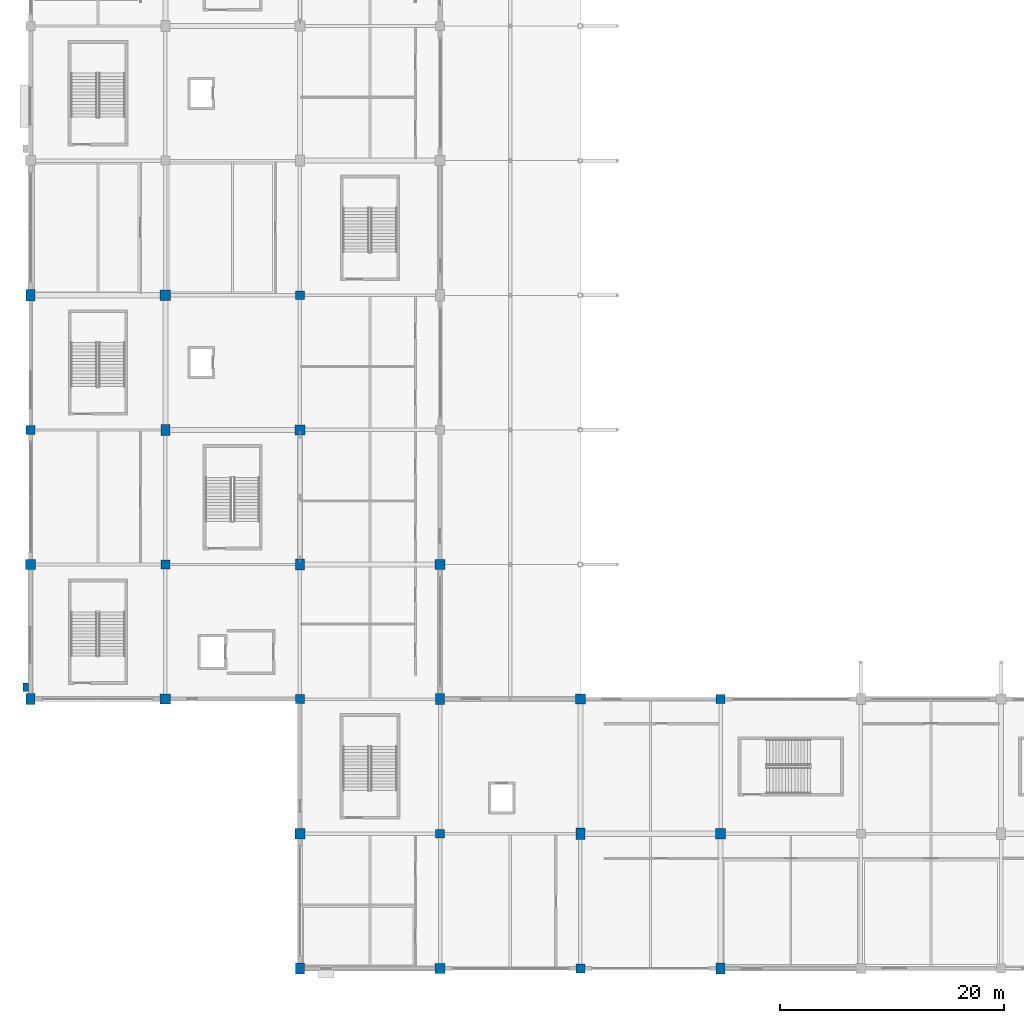
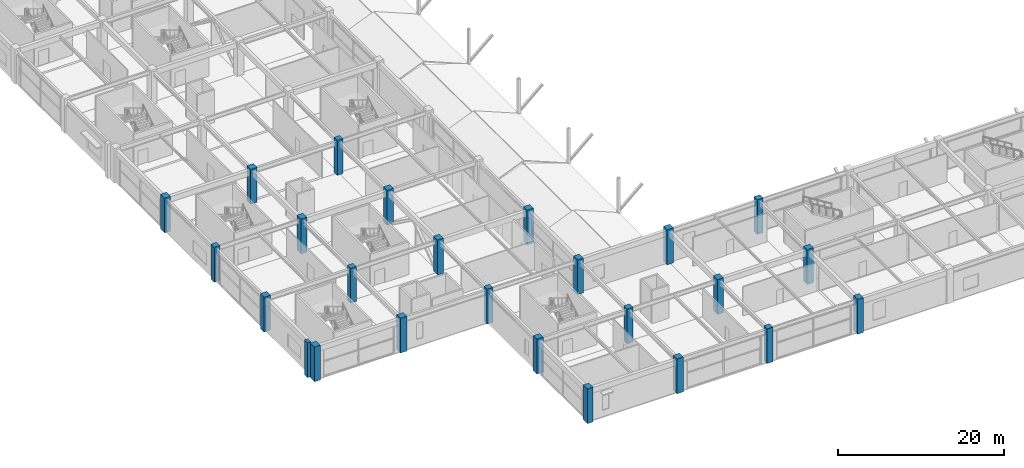
# One storey, part 1 of 116: 25 columns.
"""IFC4 building model written with IfcOpenShell, lengths in metres."""

from ifc_helpers import new_model, si_unit, direction, frame, origin, origin_2d, place, context, subcontext, project, spatial, rectangle, extrude, material, material_profile, profile_set, type_object, element, save


model = new_model("IFC4")

# Units and contexts
model_context = context("Model", 3, precision=1e-05, world=origin(), true_north=direction((0.0, 1.0)))
body_context = subcontext(model_context, "Body", "Model", "MODEL_VIEW")
ifc_project = project(units=[si_unit("LENGTHUNIT", "METRE"), si_unit("AREAUNIT", "SQUARE_METRE"), si_unit("VOLUMEUNIT", "CUBIC_METRE"), si_unit("PLANEANGLEUNIT", "RADIAN"), si_unit("MASSUNIT", "GRAM", prefix="KILO")], contexts=[model_context])

# Site, building, storey
site_placement = place(None, origin())
site = spatial("IfcSite", under=ifc_project, at=site_placement, CompositionType="ELEMENT")
building_placement = place(site_placement, origin())
building = spatial("IfcBuilding", under=site, at=building_placement, Name="Kazenohara Klinker Stadium", CompositionType="ELEMENT")
storey_placement = place(building_placement, frame((0.0, 0.0, 10.199951171875)))
storey = spatial("IfcBuildingStorey", under=building, at=storey_placement, Name="L02", CompositionType="ELEMENT", Elevation=10.199951171875)

# Columns
ifc_material = material(Name="Concrete C40/50", Category="concrete")
ifc_material_profile_1 = material_profile(ifc_material, rectangle(XDim=0.800048828125, YDim=1.0, at=origin_2d()), Name="RC-COL-1000x800")
ifc_profile_set_1 = profile_set([ifc_material_profile_1], Name="Concrete C40/50")
column_type_1 = type_object("IfcColumnType", Name="COL-RC03", PredefinedType="COLUMN", material=ifc_profile_set_1)
for number, where, z_axis, x_axis, name in (
    (1, (0.0, 36.0, 0.0), (0.0, 0.0, 1.0), (1.0, 0.0, 0.0), "Column C03 L02 1/D"),
    (2, (0.0, 72.0, 0.0), (0.0, 0.0, 1.0), (1.0, 0.0, 0.0), "Column C03 L02 1/G"),
    (3, (12.0, 60.0, 0.0), (0.0, 0.0, 1.0), (1.0, 0.0, 0.0), "Column C03 L02 2/F"),
    (4, (24.0, 12.0, 0.0), (0.0, 0.0, 1.0), (1.0, 0.0, 0.0), "Column C03 L02 3/B"),
    (5, (24.0, 48.0, 0.0), (0.0, 0.0, 1.0), (1.0, 0.0, 0.0), "Column C03 L02 3/E"),
    (6, (36.5, 36.0, 0.0), (0.0, 0.0, 1.0), (1.0, 0.0, 0.0), "Column C03 L02 4/D"),
    (7, (49.0, 24.0, 0.0), (0.0, 0.0, 1.0), (1.0, 0.0, 0.0), "Column C03 L02 5/C"),
    (8, (61.5, 12.0, 0.0), (0.0, 0.0, 1.0), (1.0, 0.0, 0.0), "Column C03 L02 6/B"),
):
    element("IfcColumn", number, at=place(storey_placement, frame(where, z_axis=z_axis, x_axis=x_axis)), inside=storey, type_object=column_type_1, Name=name, PredefinedType="COLUMN", context=body_context, shape_type="SweptSolid", body=[
        extrude(rectangle(XDim=0.800048828125, YDim=1.0, at=origin_2d()), origin(), (0.0, 0.0, 1.0), 5.10009765625),
    ])
ifc_material_profile_2 = material_profile(ifc_material, rectangle(XDim=0.89990234375, YDim=0.89990234375, at=origin_2d()), Name="RC-COL-900x900")
ifc_profile_set_2 = profile_set([ifc_material_profile_2], Name="Concrete C40/50")
column_type_2 = type_object("IfcColumnType", Name="COL-RC04", PredefinedType="COLUMN", material=ifc_profile_set_2)
for number, where, z_axis, x_axis, name in (
    (9, (0.0, 48.0, 0.0), (0.0, 0.0, 1.0), (1.0, 0.0, 0.0), "Column C04 L02 1/E"),
    (10, (12.0, 36.0, 0.0), (0.0, 0.0, 1.0), (1.0, 0.0, 0.0), "Column C04 L02 2/D"),
    (11, (12.0, 72.0, 0.0), (0.0, 0.0, 1.0), (1.0, 0.0, 0.0), "Column C04 L02 2/G"),
    (12, (24.0, 24.0, 0.0), (0.0, 0.0, 1.0), (1.0, 0.0, 0.0), "Column C04 L02 3/C"),
    (13, (24.0, 60.0, 0.0), (0.0, 0.0, 1.0), (1.0, 0.0, 0.0), "Column C04 L02 3/F"),
    (14, (36.5, 12.0, 0.0), (0.0, 0.0, 1.0), (1.0, 0.0, 0.0), "Column C04 L02 4/B"),
    (15, (36.5, 48.0, 0.0), (0.0, 0.0, 1.0), (1.0, 0.0, 0.0), "Column C04 L02 4/E"),
    (16, (49.0, 36.0, 0.0), (0.0, 0.0, 1.0), (1.0, 0.0, 0.0), "Column C04 L02 5/D"),
    (17, (61.5, 24.0, 0.0), (0.0, 0.0, 1.0), (1.0, 0.0, 0.0), "Column C04 L02 6/C"),
):
    element("IfcColumn", number, at=place(storey_placement, frame(where, z_axis=z_axis, x_axis=x_axis)), inside=storey, type_object=column_type_2, Name=name, PredefinedType="COLUMN", context=body_context, shape_type="SweptSolid", body=[
        extrude(rectangle(XDim=0.89990234375, YDim=0.89990234375, at=origin_2d()), origin(), (0.0, 0.0, 1.0), 5.10009765625),
    ])
ifc_material_profile_3 = material_profile(ifc_material, rectangle(XDim=0.800048828125, YDim=0.800048828125, at=origin_2d()), Name="RC-COL-800x800")
ifc_profile_set_3 = profile_set([ifc_material_profile_3], Name="Concrete C40/50")
column_type_3 = type_object("IfcColumnType", Name="COL-RC05", PredefinedType="COLUMN", material=ifc_profile_set_3)
for number, where, z_axis, x_axis, name in (
    (18, (0.0, 60.0, 0.0), (0.0, 0.0, 1.0), (1.0, 0.0, 0.0), "Column C05 L02 1/F"),
    (19, (12.0, 48.0, 0.0), (0.0, 0.0, 1.0), (1.0, 0.0, 0.0), "Column C05 L02 2/E"),
    (20, (24.0, 36.0, 0.0), (0.0, 0.0, 1.0), (1.0, 0.0, 0.0), "Column C05 L02 3/D"),
    (21, (24.0, 72.0, 0.0), (0.0, 0.0, 1.0), (1.0, 0.0, 0.0), "Column C05 L02 3/G"),
    (22, (36.5, 24.0, 0.0), (0.0, 0.0, 1.0), (1.0, 0.0, 0.0), "Column C05 L02 4/C"),
    (23, (49.0, 12.0, 0.0), (0.0, 0.0, 1.0), (1.0, 0.0, 0.0), "Column C05 L02 5/B"),
    (24, (61.5, 36.0, 0.0), (0.0, 0.0, 1.0), (1.0, 0.0, 0.0), "Column C05 L02 6/D"),
):
    element("IfcColumn", number, at=place(storey_placement, frame(where, z_axis=z_axis, x_axis=x_axis)), inside=storey, type_object=column_type_3, Name=name, PredefinedType="COLUMN", context=body_context, shape_type="SweptSolid", body=[
        extrude(rectangle(XDim=0.800048828125, YDim=0.800048828125, at=origin_2d()), origin(), (0.0, 0.0, 1.0), 5.10009765625),
    ])
ifc_material_profile_4 = material_profile(ifc_material, rectangle(XDim=0.5, YDim=0.75, at=origin_2d()), Name="RC-PILASTER-500x750")
ifc_profile_set_4 = profile_set([ifc_material_profile_4], Name="Concrete C40/50")
column_type_4 = type_object("IfcColumnType", Name="PIL-RC02", PredefinedType="PILASTER", material=ifc_profile_set_4)
column_placement = place(storey_placement, frame((-0.449951171875, 37.050048828125, 0.0), z_axis=(0.0, 0.0, 1.0), x_axis=(1.0, 0.0, 0.0)))
element("IfcColumn", 25, at=column_placement, inside=storey, type_object=column_type_4, Name="Pleated facade pilaster PL02 L02 West-03", PredefinedType="PILASTER", context=body_context, shape_type="SweptSolid", body=[
    extrude(rectangle(XDim=0.5, YDim=0.75, at=origin_2d()), origin(), (0.0, 0.0, 1.0), 5.10009765625),
])

save(model, "model.ifc")
